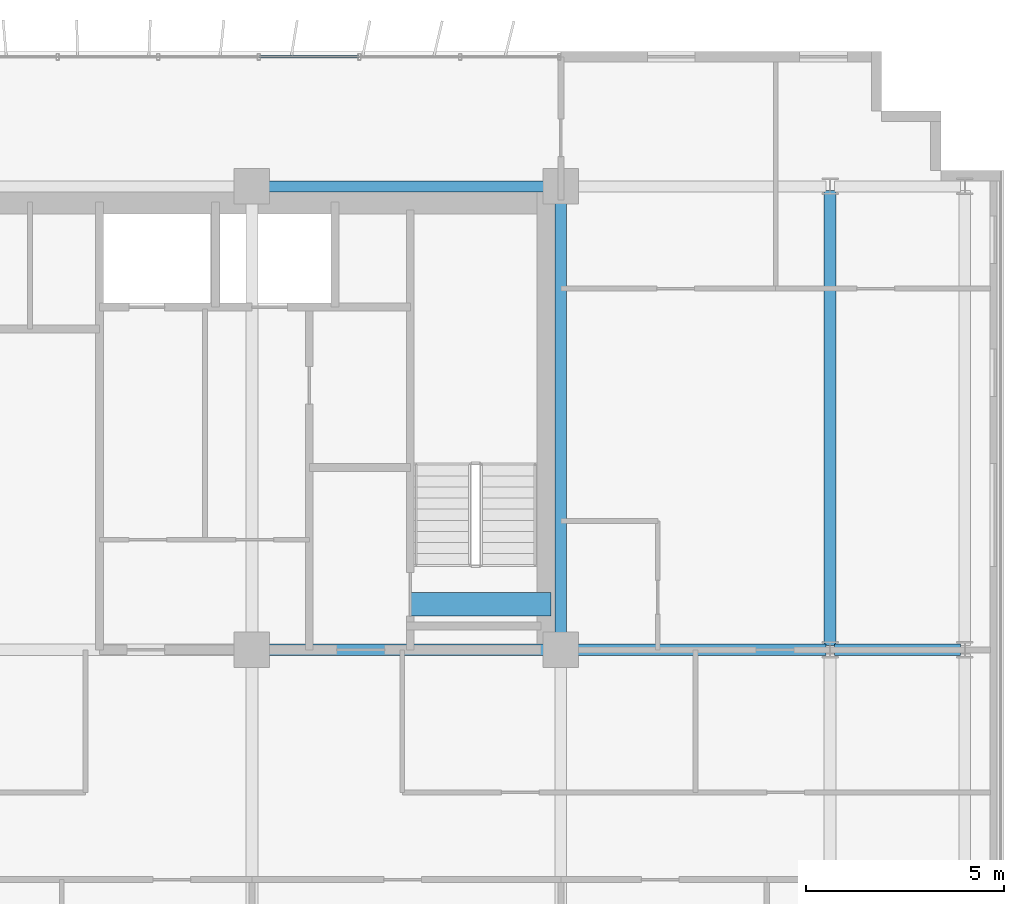
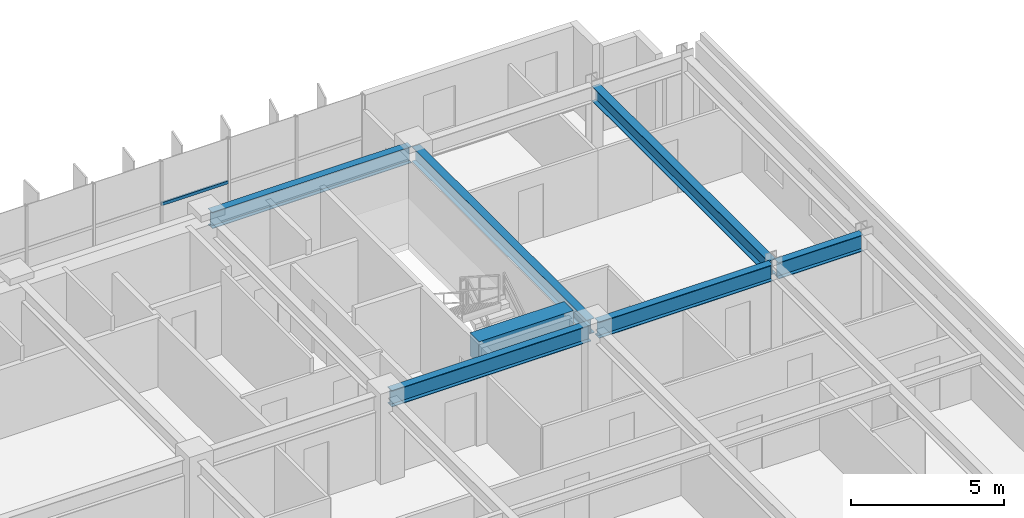
# One storey, part 11 of 22: 7 beams, 1 member, 1 element without a shape of its own.
"""IFC4 building model written with IfcOpenShell, lengths in metres."""

from ifc_helpers import new_model, si_unit, direction, frame, origin, origin_2d, place, context, subcontext, project, spatial, rectangle, hollow_rectangle, i_section, extrude, source, transform, mapped, material, material_profile, profile_set, type_object, element, aggregate, save


model = new_model("IFC4")

# Units and contexts
model_context = context("Model", 3, precision=1e-05, world=origin(), true_north=direction((0.0, 1.0)))
body_context = subcontext(model_context, "Body", "Model", "MODEL_VIEW")
ifc_project = project(units=[si_unit("LENGTHUNIT", "METRE"), si_unit("AREAUNIT", "SQUARE_METRE"), si_unit("VOLUMEUNIT", "CUBIC_METRE"), si_unit("PLANEANGLEUNIT", "RADIAN"), si_unit("MASSUNIT", "GRAM", prefix="KILO")], contexts=[model_context])

# Site, building, storey
site_placement = place(None, origin())
site = spatial("IfcSite", under=ifc_project, at=site_placement, CompositionType="ELEMENT")
building_placement = place(site_placement, origin())
building = spatial("IfcBuilding", under=site, at=building_placement, Name="Trelvane Seafront Commons", CompositionType="ELEMENT")
storey_placement = place(building_placement, frame((0.0, 0.0, 48.699951171875)))
storey = spatial("IfcBuildingStorey", under=building, at=storey_placement, Name="L12", CompositionType="ELEMENT", Elevation=48.699951171875)

# Beams
ifc_material_1 = material(Name="Concrete C60/75", Category="concrete")
ifc_material_profile_1 = material_profile(ifc_material_1, rectangle(XDim=0.60009765625, YDim=0.89990234375, at=origin_2d()), Name="RC-600x900")
ifc_profile_set_1 = profile_set([ifc_material_profile_1], Name="Concrete C60/75")
beam_type_1 = type_object("IfcBeamType", Name="STR-LNT-RC600x900", PredefinedType="LINTEL", material=ifc_profile_set_1)
shared_shape_1 = source(origin(), body_context, "Body", "SweptSolid", [
    extrude(rectangle(XDim=0.60009765625, YDim=0.89990234375, at=origin_2d()), origin(), (0.0, 0.0, 1.0), 3.550048828125),
])
beam_1_placement = place(storey_placement, frame((55.0, 34.550048828125, 2.89013671875), z_axis=(1.0, 0.0, 0.0), x_axis=(0.0, 1.0, 0.0)))
element("IfcBeam", 1, at=beam_1_placement, inside=storey, type_object=beam_type_1, Name="L12 Core Coupling Lintel Beam CB-86", PredefinedType="LINTEL", context=body_context, shape_type="MappedRepresentation", body=[
    mapped(shared_shape_1, transform((0.0, 0.0, 0.0), x_axis=(1.0, 0.0, 0.0), y_axis=(0.0, 1.0, 0.0), z_axis=(0.0, 0.0, 1.0), scale=1.0)),
])
ifc_material_2 = material(Name="Steel SM355 (S355)", Category="steel")
ifc_material_profile_2 = material_profile(ifc_material_2, i_section(OverallWidth=0.280029296875, OverallDepth=0.64990234375, WebThickness=0.012939453125, FlangeThickness=0.02197265625, at=origin_2d()), Name="H-650x280x13x22")
ifc_profile_set_2 = profile_set([ifc_material_profile_2], Name="Steel SM355 (S355)")
beam_type_2 = type_object("IfcBeamType", Name="STR-BM-H650", PredefinedType="BEAM", material=ifc_profile_set_2)
shared_shape_2 = source(origin(), body_context, "Body", "SweptSolid", [
    extrude(i_section(OverallWidth=0.280029296875, OverallDepth=0.64990234375, WebThickness=0.012939453125, FlangeThickness=0.02197265625, at=origin_2d()), origin(), (0.0, 0.0, 1.0), 3.18994140625),
])
beam_2_placement = place(storey_placement, frame((65.705078125, 33.39990234375, 3.01513671875), z_axis=(1.0, 0.0, 0.0), x_axis=(0.0, 1.0, 0.0)))
element("IfcBeam", 2, at=beam_2_placement, inside=storey, type_object=beam_type_2, Name="L12 Primary Girder G-27", PredefinedType="BEAM", context=body_context, shape_type="MappedRepresentation", body=[
    mapped(shared_shape_2, transform((0.0, 0.0, 0.0), x_axis=(1.0, 0.0, 0.0), y_axis=(0.0, 1.0, 0.0), z_axis=(0.0, 0.0, 1.0), scale=1.0)),
])
shared_shape_3 = source(origin(), body_context, "Body", "SweptSolid", [
    extrude(i_section(OverallWidth=0.280029296875, OverallDepth=0.64990234375, WebThickness=0.012939453125, FlangeThickness=0.02197265625, at=origin_2d()), origin(), (0.0, 0.0, 1.0), 6.545166015625),
])
beam_3_placement = place(storey_placement, frame((58.949951171875, 33.39990234375, 3.01513671875), z_axis=(1.0, 0.0, 0.0), x_axis=(0.0, 1.0, 0.0)))
element("IfcBeam", 3, at=beam_3_placement, inside=storey, type_object=beam_type_2, Name="L12 Primary Girder G-26", PredefinedType="BEAM", context=body_context, shape_type="MappedRepresentation", body=[
    mapped(shared_shape_3, transform((0.0, 0.0, 0.0), x_axis=(1.0, 0.0, 0.0), y_axis=(0.0, 1.0, 0.0), z_axis=(0.0, 0.0, 1.0), scale=1.0)),
])
shared_shape_4 = source(origin(), body_context, "Body", "SweptSolid", [
    extrude(i_section(OverallWidth=0.280029296875, OverallDepth=0.64990234375, WebThickness=0.012939453125, FlangeThickness=0.02197265625, at=origin_2d()), origin(), (0.0, 0.0, 1.0), 7.5),
])
for number, where, z_axis, x_axis, name in (
    (4, (51.14990234375, 33.39990234375, 3.01513671875), (1.0, 0.0, 0.0), (0.0, 1.0, 0.0), "L12 Primary Girder G-25"),
    (5, (51.14990234375, 45.10009765625, 3.01513671875), (1.0, 0.0, 0.0), (0.0, 1.0, 0.0), "L12 Primary Girder G-34"),
):
    element("IfcBeam", number, at=place(storey_placement, frame(where, z_axis=z_axis, x_axis=x_axis)), inside=storey, type_object=beam_type_2, Name=name, PredefinedType="BEAM", context=body_context, shape_type="MappedRepresentation", body=[
        mapped(shared_shape_4, transform((0.0, 0.0, 0.0), x_axis=(1.0, 0.0, 0.0), y_axis=(0.0, 1.0, 0.0), z_axis=(0.0, 0.0, 1.0), scale=1.0)),
    ])
ifc_material_profile_3 = material_profile(ifc_material_2, i_section(OverallWidth=0.300048828125, OverallDepth=0.587890625, WebThickness=0.011962890625, FlangeThickness=0.02001953125, at=origin_2d()), Name="H-588x300x12x20")
ifc_profile_set_3 = profile_set([ifc_material_profile_3], Name="Steel SM355 (S355)")
beam_type_3 = type_object("IfcBeamType", Name="STR-BM-H588", PredefinedType="BEAM", material=ifc_profile_set_3)
shared_shape_5 = source(origin(), body_context, "Body", "SweptSolid", [
    extrude(i_section(OverallWidth=0.300048828125, OverallDepth=0.587890625, WebThickness=0.011962890625, FlangeThickness=0.02001953125, at=origin_2d()), origin(), (0.0, 0.0, 1.0), 11.490234375),
])
beam_4_placement = place(storey_placement, frame((65.60009765625, 33.5048828125, 3.046142578125), z_axis=(0.0, 1.0, 0.0), x_axis=(-1.0, 0.0, 0.0)))
element("IfcBeam", 6, at=beam_4_placement, inside=storey, type_object=beam_type_3, Name="L12 Primary Girder G-63", PredefinedType="BEAM", context=body_context, shape_type="MappedRepresentation", body=[
    mapped(shared_shape_5, transform((0.0, 0.0, 0.0), x_axis=(1.0, 0.0, 0.0), y_axis=(0.0, 1.0, 0.0), z_axis=(0.0, 0.0, 1.0), scale=1.0)),
])
shared_shape_6 = source(origin(), body_context, "Body", "SweptSolid", [
    extrude(i_section(OverallWidth=0.300048828125, OverallDepth=0.587890625, WebThickness=0.011962890625, FlangeThickness=0.02001953125, at=origin_2d()), origin(), (0.0, 0.0, 1.0), 11.39990234375),
])
beam_5_placement = place(storey_placement, frame((58.800048828125, 33.550048828125, 3.046142578125), z_axis=(0.0, 1.0, 0.0), x_axis=(-1.0, 0.0, 0.0)))
element("IfcBeam", 7, at=beam_5_placement, inside=storey, type_object=beam_type_3, Name="L12 Primary Girder G-60", PredefinedType="BEAM", context=body_context, shape_type="MappedRepresentation", body=[
    mapped(shared_shape_6, transform((0.0, 0.0, 0.0), x_axis=(1.0, 0.0, 0.0), y_axis=(0.0, 1.0, 0.0), z_axis=(0.0, 0.0, 1.0), scale=1.0)),
])

# Curtain wall, member
ifc_material_3 = material(Name="Anodised pale-silver aluminium", Category="aluminium")
curtain_wall_type = type_object("IfcCurtainWallType", Name="ARCH-CW2-LOWTOWER", PredefinedType="NOTDEFINED", material=ifc_material_3)
curtain_wall_placement = place(storey_placement, origin())
curtain_wall = element("IfcCurtainWall", 8, at=curtain_wall_placement, inside=storey, type_object=curtain_wall_type, Name="CW-L12-0036", PredefinedType="NOTDEFINED")
ifc_material_profile_4 = material_profile(ifc_material_3, hollow_rectangle(XDim=0.070068359375, YDim=0.1201171875, WallThickness=0.00390625, at=origin_2d()), Name="TRAN-70x120x4")
ifc_profile_set_4 = profile_set([ifc_material_profile_4], Name="Anodised pale-silver aluminium")
member_type = type_object("IfcMemberType", Name="ARCH-CW-TRAN-120", PredefinedType="USERDEFINED", material=ifc_profile_set_4)
shared_shape_7 = source(origin(), body_context, "Body", "SweptSolid", [
    extrude(hollow_rectangle(XDim=0.070068359375, YDim=0.1201171875, WallThickness=0.00390625, at=origin_2d()), origin(), (0.0, 0.0, 1.0), 2.51708984375),
])
member_placement = place(storey_placement, frame((51.1884765625, 48.3701171875, 1.60302734375), z_axis=(1.0, 0.0, 0.0), x_axis=(0.0, 1.0, 0.0)))
member = element("IfcMember", 9, at=member_placement, type_object=member_type, Name="CW-L12-0036-T14", ObjectType="TRANSOM", PredefinedType="USERDEFINED", context=body_context, shape_type="MappedRepresentation", body=[
    mapped(shared_shape_7, transform((0.0, 0.0, 0.0), x_axis=(1.0, 0.0, 0.0), y_axis=(0.0, 1.0, 0.0), z_axis=(0.0, 0.0, 1.0), scale=1.0)),
])
aggregate(curtain_wall, [member])

save(model, "model.ifc")
